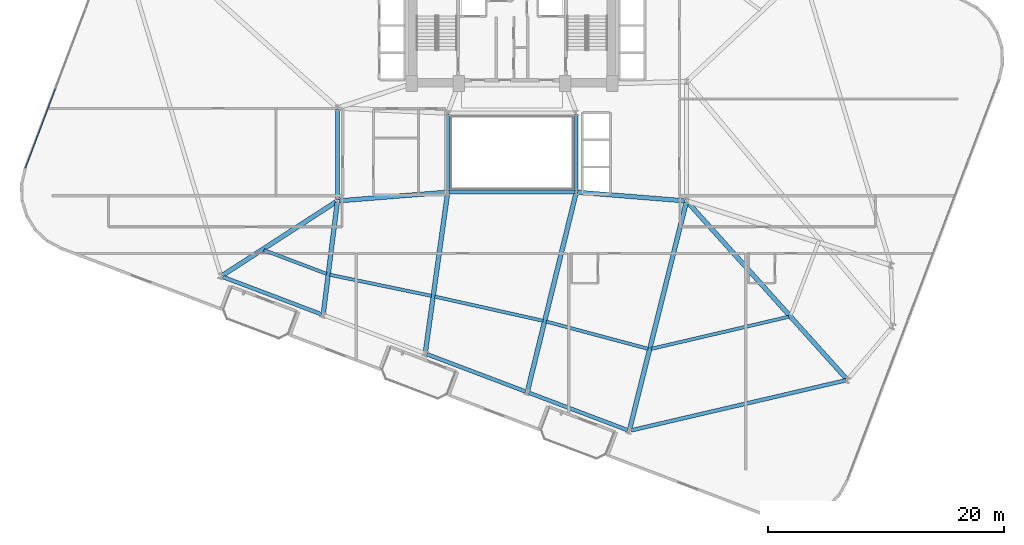
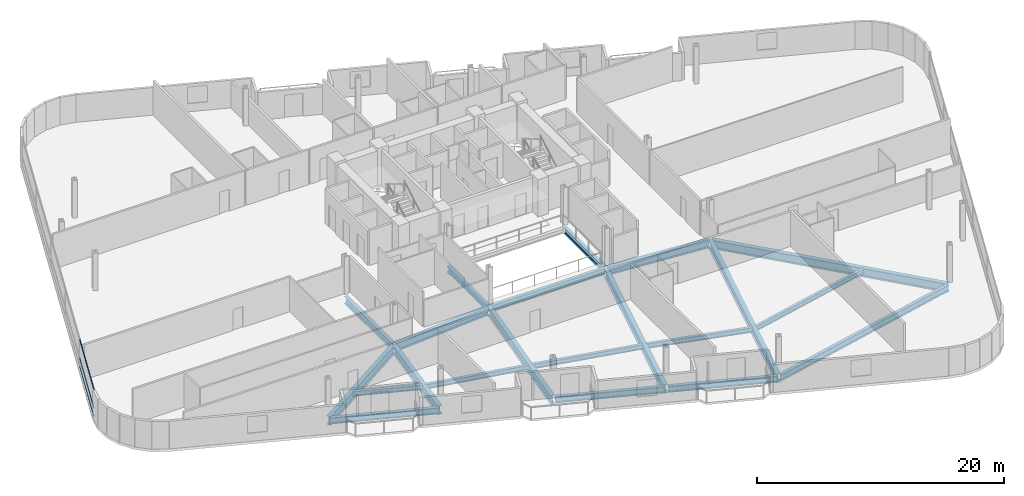
# One storey, part 3 of 24: 21 beams, 3 members, 1 element without a shape of its own.
"""IFC4 building model written with IfcOpenShell, lengths in metres."""

from ifc_helpers import new_model, si_unit, direction, frame, origin, origin_2d, place, context, subcontext, project, spatial, hollow_rectangle, i_section, extrude, material, layer, layer_set, material_profile, profile_set, type_object, element, aggregate, save


model = new_model("IFC4")

# Units and contexts
model_context = context("Model", 3, precision=1e-05, world=origin(), true_north=direction((0.0, 1.0)))
body_context = subcontext(model_context, "Body", "Model", "MODEL_VIEW")
ifc_project = project(units=[si_unit("LENGTHUNIT", "METRE"), si_unit("AREAUNIT", "SQUARE_METRE"), si_unit("VOLUMEUNIT", "CUBIC_METRE"), si_unit("PLANEANGLEUNIT", "RADIAN"), si_unit("MASSUNIT", "GRAM", prefix="KILO")], contexts=[model_context])

# Site, building, storey
site_placement = place(None, origin())
site = spatial("IfcSite", under=ifc_project, at=site_placement, CompositionType="ELEMENT")
building_placement = place(site_placement, origin())
building = spatial("IfcBuilding", under=site, at=building_placement, Name="Varnelok Gate Tower", CompositionType="ELEMENT")
storey_placement = place(building_placement, frame((0.0, 0.0, 87.300048828125)))
storey = spatial("IfcBuildingStorey", under=building, at=storey_placement, Name="L21", CompositionType="ELEMENT", Elevation=87.300048828125)

# Beams
ifc_material_1 = material(Name="Structural Steel ASTM A992 Grade 50", Category="steel")
ifc_material_profile_1 = material_profile(ifc_material_1, i_section(OverallWidth=0.280029296875, OverallDepth=0.462890625, WebThickness=0.0107421875, FlangeThickness=0.017333984375, FilletRadius=0.014892578125, at=origin_2d()), Name="W18X76")
ifc_profile_set_1 = profile_set([ifc_material_profile_1], Name="Structural Steel ASTM A992 Grade 50")
beam_type_1 = type_object("IfcBeamType", Name="BM-JST-W18X76", PredefinedType="JOIST", material=ifc_profile_set_1)
beam_1_placement = place(storey_placement, frame((18.171875, 14.6328125, -0.4814453125), z_axis=(0.935227094529, -0.35404841711, 0.0), x_axis=(0.35404841711, 0.935227094529, 0.0)))
element("IfcBeam", 1, at=beam_1_placement, inside=storey, type_object=beam_type_1, Name="L21 Sector Floor Joist 1", PredefinedType="JOIST", context=body_context, shape_type="SweptSolid", body=[
    extrude(i_section(OverallWidth=0.280029296875, OverallDepth=0.462890625, WebThickness=0.0107421875, FlangeThickness=0.017333984375, FilletRadius=0.014892578125, at=origin_2d()), origin(), (0.0, 0.0, 1.0), 5.686279296875),
])
beam_2_placement = place(storey_placement, frame((23.7578125, 12.54150390625, -0.4814453125), z_axis=(0.979150483165, -0.20313623832, 0.0), x_axis=(0.20313623832, 0.979150483165, 0.0)))
element("IfcBeam", 2, at=beam_2_placement, inside=storey, type_object=beam_type_1, Name="L21 Sector Floor Joist 2", PredefinedType="JOIST", context=body_context, shape_type="SweptSolid", body=[
    extrude(i_section(OverallWidth=0.280029296875, OverallDepth=0.462890625, WebThickness=0.0107421875, FlangeThickness=0.017333984375, FilletRadius=0.014892578125, at=origin_2d()), origin(), (0.0, 0.0, 1.0), 8.808349609375),
])
beam_3_placement = place(storey_placement, frame((32.656494140625, 10.693359375, -0.4814453125), z_axis=(0.975912576453, -0.218161965341, 0.0), x_axis=(0.218161965341, 0.975912576453, 0.0)))
element("IfcBeam", 3, at=beam_3_placement, inside=storey, type_object=beam_type_1, Name="L21 Sector Floor Joist 3", PredefinedType="JOIST", context=body_context, shape_type="SweptSolid", body=[
    extrude(i_section(OverallWidth=0.280029296875, OverallDepth=0.462890625, WebThickness=0.0107421875, FlangeThickness=0.017333984375, FilletRadius=0.014892578125, at=origin_2d()), origin(), (0.0, 0.0, 1.0), 9.402587890625),
])
beam_4_placement = place(storey_placement, frame((42.104248046875, 8.5751953125, -0.4814453125), z_axis=(0.96608369645, -0.258229145244, 0.0), x_axis=(0.258229145244, 0.96608369645, 0.0)))
element("IfcBeam", 4, at=beam_4_placement, inside=storey, type_object=beam_type_1, Name="L21 Sector Floor Joist 4", PredefinedType="JOIST", context=body_context, shape_type="SweptSolid", body=[
    extrude(i_section(OverallWidth=0.280029296875, OverallDepth=0.462890625, WebThickness=0.0107421875, FlangeThickness=0.017333984375, FilletRadius=0.014892578125, at=origin_2d()), origin(), (0.0, 0.0, 1.0), 8.931640625),
])
beam_5_placement = place(storey_placement, frame((51.00439453125, 6.264404296875, -0.4814453125), z_axis=(0.973872198903, 0.227096763966, 0.0), x_axis=(-0.227096763966, 0.973872198903, 0.0)))
element("IfcBeam", 5, at=beam_5_placement, inside=storey, type_object=beam_type_1, Name="L21 Sector Floor Joist 5", PredefinedType="JOIST", context=body_context, shape_type="SweptSolid", body=[
    extrude(i_section(OverallWidth=0.280029296875, OverallDepth=0.462890625, WebThickness=0.0107421875, FlangeThickness=0.017333984375, FilletRadius=0.014892578125, at=origin_2d()), origin(), (0.0, 0.0, 1.0), 11.967529296875),
])
ifc_material_profile_2 = material_profile(ifc_material_1, i_section(OverallWidth=0.35498046875, OverallDepth=0.696044921875, WebThickness=0.015380859375, FlangeThickness=0.02490234375, FilletRadius=0.02001953125, at=origin_2d()), Name="W27X146")
ifc_profile_set_2 = profile_set([ifc_material_profile_2], Name="Structural Steel ASTM A992 Grade 50")
beam_type_2 = type_object("IfcBeamType", Name="BM-PRI-W27X146", PredefinedType="BEAM", material=ifc_profile_set_2)
beam_6_placement = place(storey_placement, frame((24.39990234375, 18.919921875, -0.59814453125), z_axis=(0.0, 1.0, 0.0), x_axis=(-1.0, 0.0, 0.0)))
element("IfcBeam", 6, at=beam_6_placement, inside=storey, type_object=beam_type_2, Name="L21 Core-Atrium Spine Beam 16", PredefinedType="BEAM", context=body_context, shape_type="SweptSolid", body=[
    extrude(i_section(OverallWidth=0.35498046875, OverallDepth=0.696044921875, WebThickness=0.015380859375, FlangeThickness=0.02490234375, FilletRadius=0.02001953125, at=origin_2d()), origin(), (0.0, 0.0, 1.0), 7.64013671875),
])
ifc_material_profile_3 = material_profile(ifc_material_1, i_section(OverallWidth=0.381103515625, OverallDepth=0.77294921875, WebThickness=0.0166015625, FlangeThickness=0.027099609375, FilletRadius=0.02197265625, at=origin_2d()), Name="W30X173")
ifc_profile_set_3 = profile_set([ifc_material_profile_3], Name="Structural Steel ASTM A992 Grade 50")
beam_type_3 = type_object("IfcBeamType", Name="BM-PRI-W30X173", PredefinedType="BEAM", material=ifc_profile_set_3)
for number, where, z_axis, x_axis, name in (
    (7, (24.51953125, 18.8095703125, -0.636474609375), (0.996799206292, 0.07994587128, 0.0), (-0.07994587128, 0.996799206292, 0.0), "L21 Core-Atrium Spine Beam 14"),
    (8, (44.76953125, 19.540283203125, -0.636474609375), (0.996799206292, -0.07994587128, 0.0), (0.07994587128, 0.996799206292, 0.0), "L21 Core-Atrium Spine Beam 18"),
):
    element("IfcBeam", number, at=place(storey_placement, frame(where, z_axis=z_axis, x_axis=x_axis)), inside=storey, type_object=beam_type_3, Name=name, PredefinedType="BEAM", context=body_context, shape_type="SweptSolid", body=[
        extrude(i_section(OverallWidth=0.381103515625, OverallDepth=0.77294921875, WebThickness=0.0166015625, FlangeThickness=0.027099609375, FilletRadius=0.02197265625, at=origin_2d()), origin(), (0.0, 0.0, 1.0), 9.14013671875),
    ])
ifc_material_profile_4 = material_profile(ifc_material_1, i_section(OverallWidth=0.39892578125, OverallDepth=0.85498046875, WebThickness=0.018310546875, FlangeThickness=0.029296875, FilletRadius=0.02392578125, at=origin_2d()), Name="W33X201")
ifc_profile_set_4 = profile_set([ifc_material_profile_4], Name="Structural Steel ASTM A992 Grade 50")
beam_type_4 = type_object("IfcBeamType", Name="BM-PRI-W33X201", PredefinedType="BEAM", material=ifc_profile_set_4)
beam_7_placement = place(storey_placement, frame((24.274169921875, 18.718505859375, -0.677490234375), z_axis=(-0.839398998687, -0.543515704468, 0.0), x_axis=(0.543515704468, -0.839398998687, 0.0)))
element("IfcBeam", 9, at=beam_7_placement, inside=storey, type_object=beam_type_4, Name="L21 Radial Floor Girder 1", PredefinedType="BEAM", context=body_context, shape_type="SweptSolid", body=[
    extrude(i_section(OverallWidth=0.39892578125, OverallDepth=0.85498046875, WebThickness=0.018310546875, FlangeThickness=0.029296875, FilletRadius=0.02392578125, at=origin_2d()), origin(), (0.0, 0.0, 1.0), 11.4453125),
])
beam_8_placement = place(storey_placement, frame((24.38134765625, 18.651123046875, -0.677490234375), z_axis=(-0.124114361033, -0.992267920163, 0.0), x_axis=(0.992267920163, -0.124114361033, 0.0)))
element("IfcBeam", 10, at=beam_8_placement, inside=storey, type_object=beam_type_4, Name="L21 Radial Floor Girder 2", PredefinedType="BEAM", context=body_context, shape_type="SweptSolid", body=[
    extrude(i_section(OverallWidth=0.39892578125, OverallDepth=0.85498046875, WebThickness=0.018310546875, FlangeThickness=0.029296875, FilletRadius=0.02392578125, at=origin_2d()), origin(), (0.0, 0.0, 1.0), 9.43408203125),
])
beam_9_placement = place(storey_placement, frame((33.729248046875, 19.4013671875, -0.677490234375), z_axis=(-0.138054699139, -0.990424605937, 0.0), x_axis=(0.990424605937, -0.138054699139, 0.0)))
element("IfcBeam", 11, at=beam_9_placement, inside=storey, type_object=beam_type_4, Name="L21 Radial Floor Girder 3", PredefinedType="BEAM", context=body_context, shape_type="SweptSolid", body=[
    extrude(i_section(OverallWidth=0.39892578125, OverallDepth=0.85498046875, WebThickness=0.018310546875, FlangeThickness=0.029296875, FilletRadius=0.02392578125, at=origin_2d()), origin(), (0.0, 0.0, 1.0), 13.51611328125),
])
beam_10_placement = place(storey_placement, frame((44.6142578125, 19.404296875, -0.677490234375), z_axis=(-0.238054163128, -0.971251880522, 0.0), x_axis=(0.971251880522, -0.238054163128, 0.0)))
element("IfcBeam", 12, at=beam_10_placement, inside=storey, type_object=beam_type_4, Name="L21 Radial Floor Girder 4", PredefinedType="BEAM", context=body_context, shape_type="SweptSolid", body=[
    extrude(i_section(OverallWidth=0.39892578125, OverallDepth=0.85498046875, WebThickness=0.018310546875, FlangeThickness=0.029296875, FilletRadius=0.02392578125, at=origin_2d()), origin(), (0.0, 0.0, 1.0), 17.160888671875),
])
beam_11_placement = place(storey_placement, frame((53.963623046875, 18.654541015625, -0.677490234375), z_axis=(-0.241818229902, -0.970321567156, 0.0), x_axis=(0.970321567156, -0.241818229902, 0.0)))
element("IfcBeam", 13, at=beam_11_placement, inside=storey, type_object=beam_type_4, Name="L21 Radial Floor Girder 5", PredefinedType="BEAM", context=body_context, shape_type="SweptSolid", body=[
    extrude(i_section(OverallWidth=0.39892578125, OverallDepth=0.85498046875, WebThickness=0.018310546875, FlangeThickness=0.029296875, FilletRadius=0.02392578125, at=origin_2d()), origin(), (0.0, 0.0, 1.0), 19.7802734375),
])
beam_12_placement = place(storey_placement, frame((54.100341796875, 18.6884765625, -0.677490234375), z_axis=(0.668462619128, -0.743745740713, 0.0), x_axis=(0.743745740713, 0.668462619128, 0.0)))
element("IfcBeam", 14, at=beam_12_placement, inside=storey, type_object=beam_type_4, Name="L21 Radial Floor Girder 6", PredefinedType="BEAM", context=body_context, shape_type="SweptSolid", body=[
    extrude(i_section(OverallWidth=0.39892578125, OverallDepth=0.85498046875, WebThickness=0.018310546875, FlangeThickness=0.029296875, FilletRadius=0.02392578125, at=origin_2d()), origin(), (0.0, 0.0, 1.0), 20.099853515625),
])
ifc_material_profile_5 = material_profile(ifc_material_1, i_section(OverallWidth=0.323974609375, OverallDepth=0.611083984375, WebThickness=0.0126953125, FlangeThickness=0.01904296875, FilletRadius=0.01806640625, at=origin_2d()), Name="W24X104")
ifc_profile_set_5 = profile_set([ifc_material_profile_5], Name="Structural Steel ASTM A992 Grade 50")
beam_type_5 = type_object("IfcBeamType", Name="BM-SPN-W24X104", PredefinedType="SPANDREL", material=ifc_profile_set_5)
beam_13_placement = place(storey_placement, frame((33.8701171875, 19.550048828125, -0.5556640625), z_axis=(1.0, 0.0, 0.0), x_axis=(0.0, 1.0, 0.0)))
element("IfcBeam", 15, at=beam_13_placement, inside=storey, type_object=beam_type_5, Name="L21 Core-Atrium Spine Beam 8", PredefinedType="SPANDREL", context=body_context, shape_type="SweptSolid", body=[
    extrude(i_section(OverallWidth=0.323974609375, OverallDepth=0.611083984375, WebThickness=0.0126953125, FlangeThickness=0.01904296875, FilletRadius=0.01806640625, at=origin_2d()), origin(), (0.0, 0.0, 1.0), 10.659912109375),
])
for number, where, z_axis, x_axis, name in (
    (16, (33.75, 19.669921875, -0.5556640625), (0.0, 1.0, 0.0), (-1.0, 0.0, 0.0), "L21 Core-Atrium Spine Beam 10"),
    (17, (44.64990234375, 19.669921875, -0.5556640625), (0.0, 1.0, 0.0), (-1.0, 0.0, 0.0), "L21 Core-Atrium Spine Beam 11"),
):
    element("IfcBeam", number, at=place(storey_placement, frame(where, z_axis=z_axis, x_axis=x_axis)), inside=storey, type_object=beam_type_5, Name=name, PredefinedType="SPANDREL", context=body_context, shape_type="SweptSolid", body=[
        extrude(i_section(OverallWidth=0.323974609375, OverallDepth=0.611083984375, WebThickness=0.0126953125, FlangeThickness=0.01904296875, FilletRadius=0.01806640625, at=origin_2d()), origin(), (0.0, 0.0, 1.0), 6.4599609375),
    ])
for number, where, z_axis, x_axis, name in (
    (18, (14.681396484375, 12.363037109375, -0.5556640625), (0.935225969099, -0.354051389947, 0.0), (0.354051389947, 0.935225969099, 0.0), "L21 Perimeter Spandrel Beam 1"),
    (19, (31.98291015625, 5.81298828125, -0.5556640625), (0.935216936382, -0.354075248928, 0.0), (0.354075248928, 0.935216936382, 0.0), "L21 Perimeter Spandrel Beam 3"),
    (20, (40.6337890625, 2.537841796875, -0.5556640625), (0.935216936382, -0.354075248928, 0.0), (0.354075248928, 0.935216936382, 0.0), "L21 Perimeter Spandrel Beam 4"),
):
    element("IfcBeam", number, at=place(storey_placement, frame(where, z_axis=z_axis, x_axis=x_axis)), inside=storey, type_object=beam_type_5, Name=name, PredefinedType="SPANDREL", context=body_context, shape_type="SweptSolid", body=[
        extrude(i_section(OverallWidth=0.323974609375, OverallDepth=0.611083984375, WebThickness=0.0126953125, FlangeThickness=0.01904296875, FilletRadius=0.01806640625, at=origin_2d()), origin(), (0.0, 0.0, 1.0), 8.949951171875),
    ])
beam_14_placement = place(storey_placement, frame((49.290283203125, -0.64990234375, -0.5556640625), z_axis=(0.973880317885, 0.227061944052, 0.0), x_axis=(-0.227061944052, 0.973880317885, 0.0)))
element("IfcBeam", 21, at=beam_14_placement, inside=storey, type_object=beam_type_5, Name="L21 Perimeter Spandrel Beam 5", PredefinedType="SPANDREL", context=body_context, shape_type="SweptSolid", body=[
    extrude(i_section(OverallWidth=0.323974609375, OverallDepth=0.611083984375, WebThickness=0.0126953125, FlangeThickness=0.01904296875, FilletRadius=0.01806640625, at=origin_2d()), origin(), (0.0, 0.0, 1.0), 18.688232421875),
])

# Curtain wall, members
ifc_material_2 = material(Name="Anodized Aluminum Alloy 6063-T6", Category="aluminium")
ifc_layer = layer(ifc_material_2, 0.179931640625)
ifc_layer_set = layer_set([ifc_layer], Name="Anodized Aluminum Alloy 6063-T6")
curtain_wall_type = type_object("IfcCurtainWallType", Name="CW3-HOTEL-VISION", PredefinedType="USERDEFINED", material=ifc_layer_set)
curtain_wall_placement = place(storey_placement, origin())
curtain_wall = element("IfcCurtainWall", 22, at=curtain_wall_placement, inside=storey, type_object=curtain_wall_type, Name="L21 West End Vision Curtain Wall", ObjectType="UNITISED CURTAIN WALL", PredefinedType="USERDEFINED")
ifc_material_profile_6 = material_profile(ifc_material_2, hollow_rectangle(XDim=0.06494140625, YDim=0.159912109375, WallThickness=0.00390625, at=origin_2d()), Name="ALU160X65X4")
ifc_profile_set_6 = profile_set([ifc_material_profile_6], Name="Anodized Aluminum Alloy 6063-T6")
member_type = type_object("IfcMemberType", Name="CW-TRAN-160", PredefinedType="USERDEFINED", material=ifc_profile_set_6)
member_1_placement = place(storey_placement, frame((-2.031982421875, 21.625732421875, 0.032470703125), z_axis=(0.35408846525, 0.935211932546, 0.0), x_axis=(-0.935211932546, 0.35408846525, 0.0)))
member_1 = element("IfcMember", 23, at=member_1_placement, type_object=member_type, Name="CW3 transom 1.1", ObjectType="TRANSOM", PredefinedType="USERDEFINED", context=body_context, shape_type="SweptSolid", body=[
    extrude(hollow_rectangle(XDim=0.06494140625, YDim=0.159912109375, WallThickness=0.00390625, at=origin_2d()), origin(), (0.0, 0.0, 1.0), 7.142333984375),
])
member_2_placement = place(storey_placement, frame((-2.031982421875, 21.625732421875, 0.89990234375), z_axis=(0.35408846525, 0.935211932546, 0.0), x_axis=(-0.935211932546, 0.35408846525, 0.0)))
member_2 = element("IfcMember", 24, at=member_2_placement, type_object=member_type, Name="CW3 transom 1.2", ObjectType="TRANSOM", PredefinedType="USERDEFINED", context=body_context, shape_type="SweptSolid", body=[
    extrude(hollow_rectangle(XDim=0.06494140625, YDim=0.159912109375, WallThickness=0.00390625, at=origin_2d()), origin(), (0.0, 0.0, 1.0), 7.142333984375),
])
member_3_placement = place(storey_placement, frame((-2.031982421875, 21.625732421875, 2.697509765625), z_axis=(0.35408846525, 0.935211932546, 0.0), x_axis=(-0.935211932546, 0.35408846525, 0.0)))
member_3 = element("IfcMember", 25, at=member_3_placement, type_object=member_type, Name="CW3 transom 1.3", ObjectType="TRANSOM", PredefinedType="USERDEFINED", context=body_context, shape_type="SweptSolid", body=[
    extrude(hollow_rectangle(XDim=0.06494140625, YDim=0.159912109375, WallThickness=0.00390625, at=origin_2d()), origin(), (0.0, 0.0, 1.0), 7.142333984375),
])
aggregate(curtain_wall, [member_1, member_2, member_3])

save(model, "model.ifc")
